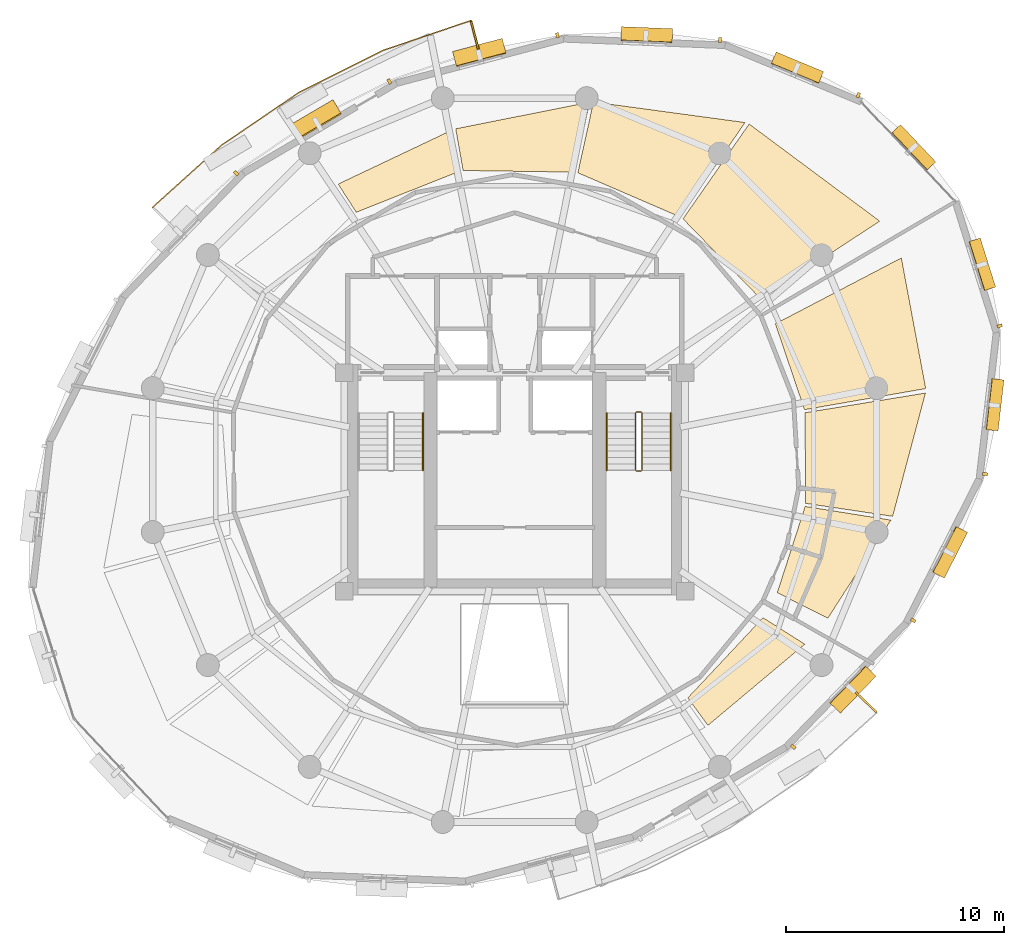
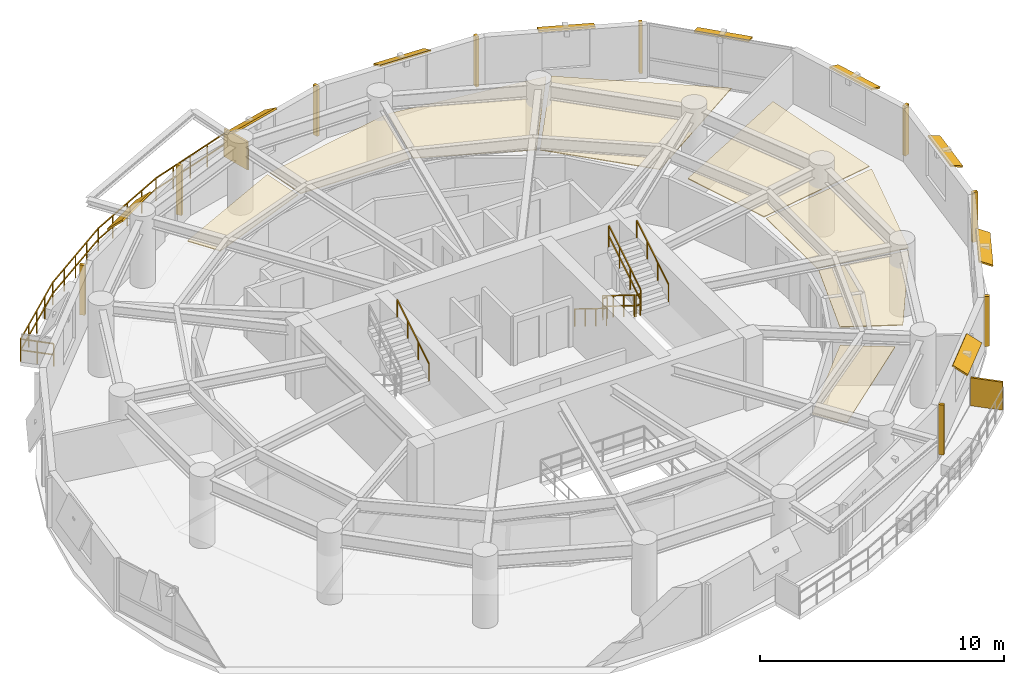
# One storey, part 14 of 14: 20 shading devices, 8 coverings, 8 railings.
"""IFC4 building model written with IfcOpenShell, lengths in metres."""

from ifc_helpers import new_model, si_unit, direction, frame, origin, origin_2d, place, context, subcontext, project, spatial, polyline, rectangle, outline, extrude, material, layer, layer_set, type_object, element, save


model = new_model("IFC4")

# Units and contexts
model_context = context("Model", 3, precision=1e-05, world=origin(), true_north=direction((0.0, 1.0)))
body_context = subcontext(model_context, "Body", "Model", "MODEL_VIEW")
ifc_project = project(units=[si_unit("LENGTHUNIT", "METRE"), si_unit("AREAUNIT", "SQUARE_METRE"), si_unit("VOLUMEUNIT", "CUBIC_METRE"), si_unit("PLANEANGLEUNIT", "RADIAN"), si_unit("MASSUNIT", "GRAM", prefix="KILO"), si_unit("THERMODYNAMICTEMPERATUREUNIT", "KELVIN"), si_unit("POWERUNIT", "WATT")], contexts=[model_context])

# Site, building, storey
site_placement = place(None, origin())
site = spatial("IfcSite", under=ifc_project, at=site_placement, CompositionType="ELEMENT")
building_placement = place(site_placement, origin())
building = spatial("IfcBuilding", under=site, at=building_placement, Name="Ocrelia Relay Tower", CompositionType="ELEMENT")
storey_placement = place(building_placement, frame((0.0, 0.0, 162.800048828125)))
storey = spatial("IfcBuildingStorey", under=building, at=storey_placement, Name="L38", CompositionType="ELEMENT", Elevation=162.800048828125)

# Coverings
ifc_material_1 = material(Name="Mineral-fiber acoustic ceiling tile", Category="gypsum")
ifc_layer_1 = layer(ifc_material_1, 0.0400390625, Name="Mineral-fiber acoustic ceiling tile")
ifc_layer_set_1 = layer_set([ifc_layer_1], Name="Mineral-fiber acoustic ceiling tile")
covering_type_1 = type_object("IfcCoveringType", Name="COV-CEIL-ACOUSTIC", PredefinedType="CEILING", material=ifc_layer_set_1)
covering_1_placement = place(storey_placement, frame((0.0, 0.0, 2.3798828125)))
element("IfcCovering", 1, at=covering_1_placement, inside=storey, type_object=covering_type_1, Name="L38 Spectrum Operations Office Suspended Ceiling 1", PredefinedType="CEILING", context=body_context, shape_type="SweptSolid", body=[
    extrude(outline(polyline([(46.023193359375, 19.9267578125), (48.341064453125, 18.755859375), (51.227783203125, 23.250732421875), (47.3017578125, 23.877197265625), (46.023193359375, 19.9267578125)])), origin(), (0.0, 0.0, 1.0), 0.0400390625),
])
covering_2_placement = place(storey_placement, frame((0.0, 0.0, 2.3798828125)))
element("IfcCovering", 2, at=covering_2_placement, inside=storey, type_object=covering_type_1, Name="L38 Spectrum Operations Office Suspended Ceiling 2", PredefinedType="CEILING", context=body_context, shape_type="SweptSolid", body=[
    extrude(outline(polyline([(47.3232421875, 24.016845703125), (51.308349609375, 23.423583984375), (52.81103515625, 29.069091796875), (47.294189453125, 28.169189453125), (47.3232421875, 24.016845703125)])), origin(), (0.0, 0.0, 1.0), 0.0400390625),
])
covering_3_placement = place(storey_placement, frame((0.0, 0.0, 2.3798828125)))
element("IfcCovering", 3, at=covering_3_placement, inside=storey, type_object=covering_type_1, Name="L38 Spectrum Operations Office Suspended Ceiling 3", PredefinedType="CEILING", context=body_context, shape_type="SweptSolid", body=[
    extrude(outline(polyline([(47.270751953125, 28.30810546875), (52.82421875, 29.274169921875), (51.70751953125, 35.25732421875), (45.937255859375, 32.240478515625), (47.270751953125, 28.30810546875)])), origin(), (0.0, 0.0, 1.0), 0.0400390625),
])
covering_4_placement = place(storey_placement, frame((0.0, 0.0, 2.3798828125)))
element("IfcCovering", 4, at=covering_4_placement, inside=storey, type_object=covering_type_1, Name="L38 Cloud Engineering Workspace Suspended Ceiling 1", PredefinedType="CEILING", context=body_context, shape_type="SweptSolid", body=[
    extrude(outline(polyline([(45.271240234375, 33.375732421875), (50.7197265625, 36.941162109375), (44.737060546875, 41.39111328125), (41.706787109375, 37.04736328125), (45.271240234375, 33.375732421875)])), origin(), (0.0, 0.0, 1.0), 0.0400390625),
])
covering_5_placement = place(storey_placement, frame((0.0, 0.0, 2.3798828125)))
element("IfcCovering", 5, at=covering_5_placement, inside=storey, type_object=covering_type_1, Name="L38 Cloud Engineering Workspace Suspended Ceiling 2", PredefinedType="CEILING", context=body_context, shape_type="SweptSolid", body=[
    extrude(outline(polyline([(41.5908203125, 37.12744140625), (44.54638671875, 41.460205078125), (37.605712890625, 42.3994140625), (36.892578125, 39.15576171875), (41.5908203125, 37.12744140625)])), origin(), (0.0, 0.0, 1.0), 0.0400390625),
])
covering_6_placement = place(storey_placement, frame((0.0, 0.0, 2.3798828125)))
element("IfcCovering", 6, at=covering_6_placement, inside=storey, type_object=covering_type_1, Name="L38 Cloud Engineering Workspace Suspended Ceiling 3", PredefinedType="CEILING", context=body_context, shape_type="SweptSolid", body=[
    extrude(outline(polyline([(36.754638671875, 39.185302734375), (37.424072265625, 42.389404296875), (31.29736328125, 41.17236328125), (31.6376953125, 39.26123046875), (36.754638671875, 39.185302734375)])), origin(), (0.0, 0.0, 1.0), 0.0400390625),
])
covering_7_placement = place(storey_placement, frame((0.0, 0.0, 2.3798828125)))
element("IfcCovering", 7, at=covering_7_placement, inside=storey, type_object=covering_type_1, Name="L38 Cloud Engineering Workspace Suspended Ceiling 4", PredefinedType="CEILING", context=body_context, shape_type="SweptSolid", body=[
    extrude(outline(polyline([(31.4990234375, 39.23583984375), (31.14306640625, 41.119873046875), (25.915771484375, 38.640869140625), (26.742919921875, 37.347900390625), (31.4990234375, 39.23583984375)])), origin(), (0.0, 0.0, 1.0), 0.0400390625),
])
ifc_material_2 = material(Name="Cleanroom metal-pan acoustic ceiling", Category="aluminium")
ifc_layer_2 = layer(ifc_material_2, 0.0400390625, Name="Cleanroom metal-pan acoustic ceiling")
ifc_layer_set_2 = layer_set([ifc_layer_2], Name="Cleanroom metal-pan acoustic ceiling")
covering_type_2 = type_object("IfcCoveringType", Name="COV-CEIL-CLEAN", PredefinedType="CEILING", material=ifc_layer_set_2)
covering_8_placement = place(storey_placement, frame((0.0, 0.0, 2.3798828125)))
element("IfcCovering", 8, at=covering_8_placement, inside=storey, type_object=covering_type_2, Name="L38 Protocol Simulation Studio Suspended Ceiling 7", PredefinedType="CEILING", context=body_context, shape_type="SweptSolid", body=[
    extrude(outline(polyline([(41.92822265625, 15.1103515625), (42.84765625, 13.84765625), (47.28662109375, 17.568115234375), (45.373046875, 18.782470703125), (41.92822265625, 15.1103515625)])), origin(), (0.0, 0.0, 1.0), 0.0400390625),
])

# Railings
ifc_material_3 = material(Name="Steel S355 balustrade", Category="steel")
railing_type_1 = type_object("IfcRailingType", Name="RL-EXT-GUARD-1150", PredefinedType="GUARDRAIL", material=ifc_material_3)
railing_1_placement = place(storey_placement, frame((18.409423828125, 36.6064453125, 0.0)))
element("IfcRailing", 9, at=railing_1_placement, inside=storey, type_object=railing_type_1, Name="L38 Loggia Balcony Guard Rail B1", PredefinedType="GUARDRAIL", context=body_context, shape_type="SweptSolid", body=[
    extrude(rectangle(XDim=0.048095703125, YDim=0.048095703125, at=origin_2d()), frame((0.0, 0.0, 1.1259765625), z_axis=(-0.719869312116, 0.694109626409, 0.0), x_axis=(-0.694109626409, -0.719869312116, 0.0)), (0.0, 0.0, 1.0), 1.393310546875),
    extrude(rectangle(XDim=0.048095703125, YDim=0.048095703125, at=origin_2d()), frame((0.0, 0.0, 0.574951171875), z_axis=(-0.719869312116, 0.694109626409, 0.0), x_axis=(-0.694109626409, -0.719869312116, 0.0)), (0.0, 0.0, 1.0), 1.393310546875),
    extrude(rectangle(XDim=0.048095703125, YDim=0.048095703125, at=origin_2d()), frame((-1.0029296875, 0.967041015625, 1.1259765625), z_axis=(0.742997237485, 0.669294483087, 0.0), x_axis=(-0.669294483087, 0.742997237485, 0.0)), (0.0, 0.0, 1.0), 2.126708984375),
    extrude(rectangle(XDim=0.048095703125, YDim=0.048095703125, at=origin_2d()), frame((-1.0029296875, 0.967041015625, 0.574951171875), z_axis=(0.742997237485, 0.669294483087, 0.0), x_axis=(-0.669294483087, 0.742997237485, 0.0)), (0.0, 0.0, 1.0), 2.126708984375),
    extrude(rectangle(XDim=0.048095703125, YDim=0.048095703125, at=origin_2d()), frame((0.5771484375, 2.390380859375, 1.1259765625), z_axis=(0.742997237485, 0.669294483087, 0.0), x_axis=(-0.669294483087, 0.742997237485, 0.0)), (0.0, 0.0, 1.0), 2.126708984375),
    extrude(rectangle(XDim=0.048095703125, YDim=0.048095703125, at=origin_2d()), frame((0.5771484375, 2.390380859375, 0.574951171875), z_axis=(0.742997237485, 0.669294483087, 0.0), x_axis=(-0.669294483087, 0.742997237485, 0.0)), (0.0, 0.0, 1.0), 2.126708984375),
    extrude(rectangle(XDim=0.048095703125, YDim=0.048095703125, at=origin_2d()), frame((2.1572265625, 3.813720703125, 1.1259765625), z_axis=(0.826682428882, 0.562668785146, 0.0), x_axis=(-0.562668785146, 0.826682428882, 0.0)), (0.0, 0.0, 1.0), 4.299072265625),
    extrude(rectangle(XDim=0.048095703125, YDim=0.048095703125, at=origin_2d()), frame((2.1572265625, 3.813720703125, 0.574951171875), z_axis=(0.826682428882, 0.562668785146, 0.0), x_axis=(-0.562668785146, 0.826682428882, 0.0)), (0.0, 0.0, 1.0), 4.299072265625),
    extrude(rectangle(XDim=0.048095703125, YDim=0.048095703125, at=origin_2d()), frame((5.711181640625, 6.232666015625, 1.1259765625), z_axis=(0.894449906034, 0.447168162547, 0.0), x_axis=(-0.447168162547, 0.894449906034, 0.0)), (0.0, 0.0, 1.0), 4.299072265625),
    extrude(rectangle(XDim=0.048095703125, YDim=0.048095703125, at=origin_2d()), frame((5.711181640625, 6.232666015625, 0.574951171875), z_axis=(0.894449906034, 0.447168162547, 0.0), x_axis=(-0.447168162547, 0.894449906034, 0.0)), (0.0, 0.0, 1.0), 4.299072265625),
    extrude(rectangle(XDim=0.048095703125, YDim=0.048095703125, at=origin_2d()), frame((9.556396484375, 8.155029296875, 1.1259765625), z_axis=(0.946737052501, 0.322007691556, 0.0), x_axis=(-0.322007691556, 0.946737052501, 0.0)), (0.0, 0.0, 1.0), 2.126708984375),
    extrude(rectangle(XDim=0.048095703125, YDim=0.048095703125, at=origin_2d()), frame((9.556396484375, 8.155029296875, 0.574951171875), z_axis=(0.946737052501, 0.322007691556, 0.0), x_axis=(-0.322007691556, 0.946737052501, 0.0)), (0.0, 0.0, 1.0), 2.126708984375),
    extrude(rectangle(XDim=0.048095703125, YDim=0.048095703125, at=origin_2d()), frame((11.56982421875, 8.83984375, 1.1259765625), z_axis=(0.946737052501, 0.322007691556, 0.0), x_axis=(-0.322007691556, 0.946737052501, 0.0)), (0.0, 0.0, 1.0), 2.126708984375),
    extrude(rectangle(XDim=0.048095703125, YDim=0.048095703125, at=origin_2d()), frame((11.56982421875, 8.83984375, 0.574951171875), z_axis=(0.946737052501, 0.322007691556, 0.0), x_axis=(-0.322007691556, 0.946737052501, 0.0)), (0.0, 0.0, 1.0), 2.126708984375),
    extrude(rectangle(XDim=0.048095703125, YDim=0.048095703125, at=origin_2d()), frame((13.583251953125, 9.524658203125, 1.1259765625), z_axis=(0.254596796515, -0.967047295226, 0.0), x_axis=(0.967047295226, 0.254596796515, 0.0)), (0.0, 0.0, 1.0), 1.393310546875),
    extrude(rectangle(XDim=0.048095703125, YDim=0.048095703125, at=origin_2d()), frame((13.583251953125, 9.524658203125, 0.574951171875), z_axis=(0.254596796515, -0.967047295226, 0.0), x_axis=(0.967047295226, 0.254596796515, 0.0)), (0.0, 0.0, 1.0), 1.393310546875),
    extrude(rectangle(XDim=0.0419921875, YDim=0.0419921875, at=origin_2d()), origin(), (0.0, 0.0, 1.0), 1.101806640625),
    extrude(rectangle(XDim=0.0419921875, YDim=0.0419921875, at=origin_2d()), frame((-0.50146484375, 0.4833984375, 0.0)), (0.0, 0.0, 1.0), 1.101806640625),
    extrude(rectangle(XDim=0.0419921875, YDim=0.0419921875, at=origin_2d()), frame((-1.0029296875, 0.967041015625, 0.0)), (0.0, 0.0, 1.0), 1.101806640625),
    extrude(rectangle(XDim=0.0419921875, YDim=0.0419921875, at=origin_2d()), frame((-0.212890625, 1.6787109375, 0.0)), (0.0, 0.0, 1.0), 1.101806640625),
    extrude(rectangle(XDim=0.0419921875, YDim=0.0419921875, at=origin_2d()), frame((0.5771484375, 2.390380859375, 0.0)), (0.0, 0.0, 1.0), 1.101806640625),
    extrude(rectangle(XDim=0.0419921875, YDim=0.0419921875, at=origin_2d()), frame((1.3671875, 3.10205078125, 0.0)), (0.0, 0.0, 1.0), 1.101806640625),
    extrude(rectangle(XDim=0.0419921875, YDim=0.0419921875, at=origin_2d()), frame((2.1572265625, 3.813720703125, 0.0)), (0.0, 0.0, 1.0), 1.101806640625),
    extrude(rectangle(XDim=0.0419921875, YDim=0.0419921875, at=origin_2d()), frame((3.045654296875, 4.41845703125, 0.0)), (0.0, 0.0, 1.0), 1.101806640625),
    extrude(rectangle(XDim=0.0419921875, YDim=0.0419921875, at=origin_2d()), frame((3.93408203125, 5.023193359375, 0.0)), (0.0, 0.0, 1.0), 1.101806640625),
    extrude(rectangle(XDim=0.0419921875, YDim=0.0419921875, at=origin_2d()), frame((4.82275390625, 5.6279296875, 0.0)), (0.0, 0.0, 1.0), 1.101806640625),
    extrude(rectangle(XDim=0.0419921875, YDim=0.0419921875, at=origin_2d()), frame((5.711181640625, 6.232666015625, 0.0)), (0.0, 0.0, 1.0), 1.101806640625),
    extrude(rectangle(XDim=0.0419921875, YDim=0.0419921875, at=origin_2d()), frame((6.67236328125, 6.71337890625, 0.0)), (0.0, 0.0, 1.0), 1.101806640625),
    extrude(rectangle(XDim=0.0419921875, YDim=0.0419921875, at=origin_2d()), frame((7.6337890625, 7.19384765625, 0.0)), (0.0, 0.0, 1.0), 1.101806640625),
    extrude(rectangle(XDim=0.0419921875, YDim=0.0419921875, at=origin_2d()), frame((8.59521484375, 7.67431640625, 0.0)), (0.0, 0.0, 1.0), 1.101806640625),
    extrude(rectangle(XDim=0.0419921875, YDim=0.0419921875, at=origin_2d()), frame((9.556396484375, 8.155029296875, 0.0)), (0.0, 0.0, 1.0), 1.101806640625),
    extrude(rectangle(XDim=0.0419921875, YDim=0.0419921875, at=origin_2d()), frame((10.56298828125, 8.49755859375, 0.0)), (0.0, 0.0, 1.0), 1.101806640625),
    extrude(rectangle(XDim=0.0419921875, YDim=0.0419921875, at=origin_2d()), frame((11.56982421875, 8.83984375, 0.0)), (0.0, 0.0, 1.0), 1.101806640625),
    extrude(rectangle(XDim=0.0419921875, YDim=0.0419921875, at=origin_2d()), frame((12.57666015625, 9.18212890625, 0.0)), (0.0, 0.0, 1.0), 1.101806640625),
    extrude(rectangle(XDim=0.0419921875, YDim=0.0419921875, at=origin_2d()), frame((13.583251953125, 9.524658203125, 0.0)), (0.0, 0.0, 1.0), 1.101806640625),
    extrude(rectangle(XDim=0.0419921875, YDim=0.0419921875, at=origin_2d()), frame((13.7607421875, 8.85107421875, 0.0)), (0.0, 0.0, 1.0), 1.101806640625),
    extrude(rectangle(XDim=0.0419921875, YDim=0.0419921875, at=origin_2d()), frame((13.93798828125, 8.17724609375, 0.0)), (0.0, 0.0, 1.0), 1.101806640625),
])
railing_type_2 = type_object("IfcRailingType", Name="RL-STAIR-GUARD", PredefinedType="GUARDRAIL", material=ifc_material_3)
railing_2_placement = place(storey_placement, frame((39.530029296875, 28.14990234375, 0.179931640625)))
element("IfcRailing", 10, at=railing_2_placement, inside=storey, type_object=railing_type_2, Name="L38 ST2 stair guard 1", PredefinedType="GUARDRAIL", context=body_context, shape_type="SweptSolid", body=[
    extrude(rectangle(XDim=0.048095703125, YDim=0.048095703125, at=origin_2d()), frame((0.0, 0.0, 1.076171875), z_axis=(0.0, -0.849610693518, 0.52741034258), x_axis=(1.0, 0.0, 0.0)), (0.0, 0.0, 1.0), 3.07177734375),
    extrude(rectangle(XDim=0.048095703125, YDim=0.048095703125, at=origin_2d()), frame((0.0, 0.0, 0.550048828125), z_axis=(0.0, -0.849610693518, 0.52741034258), x_axis=(1.0, 0.0, 0.0)), (0.0, 0.0, 1.0), 3.07177734375),
    extrude(rectangle(XDim=0.0419921875, YDim=0.0419921875, at=origin_2d()), origin(), (0.0, 0.0, 1.0), 1.052001953125),
    extrude(rectangle(XDim=0.0419921875, YDim=0.0419921875, at=origin_2d()), frame((0.0, -0.869873046875, 0.5400390625)), (0.0, 0.0, 1.0), 1.052001953125),
    extrude(rectangle(XDim=0.0419921875, YDim=0.0419921875, at=origin_2d()), frame((0.0, -1.739990234375, 1.080078125)), (0.0, 0.0, 1.0), 1.052001953125),
    extrude(rectangle(XDim=0.0419921875, YDim=0.0419921875, at=origin_2d()), frame((0.0, -2.60986328125, 1.6201171875)), (0.0, 0.0, 1.0), 1.052001953125),
])
railing_3_placement = place(storey_placement, frame((39.580078125, 25.489990234375, 1.800048828125)))
element("IfcRailing", 11, at=railing_3_placement, inside=storey, type_object=railing_type_2, Name="L38 ST2 stair guard 2", PredefinedType="GUARDRAIL", context=body_context, shape_type="SweptSolid", body=[
    extrude(rectangle(XDim=0.048095703125, YDim=0.048095703125, at=origin_2d()), frame((0.0, 0.0, 1.076171875), z_axis=(1.0, 0.0, 0.0), x_axis=(0.0, 1.0, 0.0)), (0.0, 0.0, 1.0), 0.199951171875),
    extrude(rectangle(XDim=0.048095703125, YDim=0.048095703125, at=origin_2d()), frame((0.0, 0.0, 0.550048828125), z_axis=(1.0, 0.0, 0.0), x_axis=(0.0, 1.0, 0.0)), (0.0, 0.0, 1.0), 0.199951171875),
    extrude(rectangle(XDim=0.0419921875, YDim=0.0419921875, at=origin_2d()), origin(), (0.0, 0.0, 1.0), 1.052001953125),
    extrude(rectangle(XDim=0.0419921875, YDim=0.0419921875, at=origin_2d()), frame((0.199951171875, 0.0, 0.0)), (0.0, 0.0, 1.0), 1.052001953125),
])
railing_4_placement = place(storey_placement, frame((39.830078125, 25.5400390625, 1.97998046875)))
element("IfcRailing", 12, at=railing_4_placement, inside=storey, type_object=railing_type_2, Name="L38 ST2 stair guard 3", PredefinedType="GUARDRAIL", context=body_context, shape_type="SweptSolid", body=[
    extrude(rectangle(XDim=0.048095703125, YDim=0.048095703125, at=origin_2d()), frame((0.0, 0.0, 1.076171875), z_axis=(0.0, 0.849646306263, 0.527352969322), x_axis=(-1.0, 0.0, 0.0)), (0.0, 0.0, 1.0), 3.07177734375),
    extrude(rectangle(XDim=0.048095703125, YDim=0.048095703125, at=origin_2d()), frame((0.0, 0.0, 0.550048828125), z_axis=(0.0, 0.849646306263, 0.527352969322), x_axis=(-1.0, 0.0, 0.0)), (0.0, 0.0, 1.0), 3.07177734375),
    extrude(rectangle(XDim=0.0419921875, YDim=0.0419921875, at=origin_2d()), origin(), (0.0, 0.0, 1.0), 1.052001953125),
    extrude(rectangle(XDim=0.0419921875, YDim=0.0419921875, at=origin_2d()), frame((0.0, 0.869873046875, 0.5400390625)), (0.0, 0.0, 1.0), 1.052001953125),
    extrude(rectangle(XDim=0.0419921875, YDim=0.0419921875, at=origin_2d()), frame((0.0, 1.739990234375, 1.079833984375)), (0.0, 0.0, 1.0), 1.052001953125),
    extrude(rectangle(XDim=0.0419921875, YDim=0.0419921875, at=origin_2d()), frame((0.0, 2.60986328125, 1.619873046875)), (0.0, 0.0, 1.0), 1.052001953125),
])
railing_5_placement = place(storey_placement, frame((39.580078125, 28.199951171875, 0.0)))
element("IfcRailing", 13, at=railing_5_placement, inside=storey, type_object=railing_type_2, Name="L38 ST2 stair guard 4", PredefinedType="GUARDRAIL", context=body_context, shape_type="SweptSolid", body=[
    extrude(rectangle(XDim=0.048095703125, YDim=0.048095703125, at=origin_2d()), frame((0.0, 0.0, 1.076171875), z_axis=(1.0, 0.0, 0.0), x_axis=(0.0, 1.0, 0.0)), (0.0, 0.0, 1.0), 0.199951171875),
    extrude(rectangle(XDim=0.048095703125, YDim=0.048095703125, at=origin_2d()), frame((0.0, 0.0, 0.550048828125), z_axis=(1.0, 0.0, 0.0), x_axis=(0.0, 1.0, 0.0)), (0.0, 0.0, 1.0), 0.199951171875),
    extrude(rectangle(XDim=0.0419921875, YDim=0.0419921875, at=origin_2d()), origin(), (0.0, 0.0, 1.0), 1.052001953125),
    extrude(rectangle(XDim=0.0419921875, YDim=0.0419921875, at=origin_2d()), frame((0.199951171875, 0.0, 0.0)), (0.0, 0.0, 1.0), 1.052001953125),
])
ifc_material_4 = material(Name="Steel S355 tubular handrail", Category="steel")
railing_type_3 = type_object("IfcRailingType", Name="RL-STAIR-HAND", PredefinedType="HANDRAIL", material=ifc_material_4)
railing_6_placement = place(storey_placement, frame((29.800048828125, 25.5400390625, 1.97998046875)))
element("IfcRailing", 14, at=railing_6_placement, inside=storey, type_object=railing_type_3, Name="L38 ST1 stair handrail 2", PredefinedType="HANDRAIL", context=body_context, shape_type="SweptSolid", body=[
    extrude(rectangle(XDim=0.048095703125, YDim=0.048095703125, at=origin_2d()), frame((0.0, 0.0, 0.8759765625), z_axis=(0.0, 0.849646306263, 0.527352969322), x_axis=(-1.0, 0.0, 0.0)), (0.0, 0.0, 1.0), 3.07177734375),
    extrude(rectangle(XDim=0.0419921875, YDim=0.0419921875, at=origin_2d()), origin(), (0.0, 0.0, 1.0), 0.851806640625),
    extrude(rectangle(XDim=0.0419921875, YDim=0.0419921875, at=origin_2d()), frame((0.0, 0.869873046875, 0.5400390625)), (0.0, 0.0, 1.0), 0.851806640625),
    extrude(rectangle(XDim=0.0419921875, YDim=0.0419921875, at=origin_2d()), frame((0.0, 1.739990234375, 1.079833984375)), (0.0, 0.0, 1.0), 0.851806640625),
    extrude(rectangle(XDim=0.0419921875, YDim=0.0419921875, at=origin_2d()), frame((0.0, 2.60986328125, 1.619873046875)), (0.0, 0.0, 1.0), 0.851806640625),
])
railing_7_placement = place(storey_placement, frame((38.2099609375, 28.14990234375, 0.179931640625)))
element("IfcRailing", 15, at=railing_7_placement, inside=storey, type_object=railing_type_3, Name="L38 ST2 stair handrail 1", PredefinedType="HANDRAIL", context=body_context, shape_type="SweptSolid", body=[
    extrude(rectangle(XDim=0.048095703125, YDim=0.048095703125, at=origin_2d()), frame((0.0, 0.0, 0.8759765625), z_axis=(0.0, -0.849610693518, 0.52741034258), x_axis=(1.0, 0.0, 0.0)), (0.0, 0.0, 1.0), 3.07177734375),
    extrude(rectangle(XDim=0.0419921875, YDim=0.0419921875, at=origin_2d()), origin(), (0.0, 0.0, 1.0), 0.851806640625),
    extrude(rectangle(XDim=0.0419921875, YDim=0.0419921875, at=origin_2d()), frame((0.0, -0.869873046875, 0.5400390625)), (0.0, 0.0, 1.0), 0.851806640625),
    extrude(rectangle(XDim=0.0419921875, YDim=0.0419921875, at=origin_2d()), frame((0.0, -1.739990234375, 1.080078125)), (0.0, 0.0, 1.0), 0.851806640625),
    extrude(rectangle(XDim=0.0419921875, YDim=0.0419921875, at=origin_2d()), frame((0.0, -2.60986328125, 1.6201171875)), (0.0, 0.0, 1.0), 0.851806640625),
])
railing_8_placement = place(storey_placement, frame((41.14990234375, 25.5400390625, 1.97998046875)))
element("IfcRailing", 16, at=railing_8_placement, inside=storey, type_object=railing_type_3, Name="L38 ST2 stair handrail 2", PredefinedType="HANDRAIL", context=body_context, shape_type="SweptSolid", body=[
    extrude(rectangle(XDim=0.048095703125, YDim=0.048095703125, at=origin_2d()), frame((0.0, 0.0, 0.8759765625), z_axis=(0.0, 0.849646306263, 0.527352969322), x_axis=(-1.0, 0.0, 0.0)), (0.0, 0.0, 1.0), 3.07177734375),
    extrude(rectangle(XDim=0.0419921875, YDim=0.0419921875, at=origin_2d()), origin(), (0.0, 0.0, 1.0), 0.851806640625),
    extrude(rectangle(XDim=0.0419921875, YDim=0.0419921875, at=origin_2d()), frame((0.0, 0.869873046875, 0.5400390625)), (0.0, 0.0, 1.0), 0.851806640625),
    extrude(rectangle(XDim=0.0419921875, YDim=0.0419921875, at=origin_2d()), frame((0.0, 1.739990234375, 1.079833984375)), (0.0, 0.0, 1.0), 0.851806640625),
    extrude(rectangle(XDim=0.0419921875, YDim=0.0419921875, at=origin_2d()), frame((0.0, 2.60986328125, 1.619873046875)), (0.0, 0.0, 1.0), 0.851806640625),
])

# Shading devices
ifc_material_5 = material(Name="Perforated oxide terracotta solar screen", Category="masonry")
ifc_layer_3 = layer(ifc_material_5, 0.090087890625, Name="Perforated oxide terracotta solar screen")
ifc_layer_set_3 = layer_set([ifc_layer_3], Name="Perforated oxide terracotta solar screen")
shading_device_type_1 = type_object("IfcShadingDeviceType", Name="SH-BALC-SCREEN", PredefinedType="USERDEFINED", material=ifc_layer_set_3)
for number, where, z_axis, x_axis, name in (
    (17, (32.169921875, 45.45751953125, 0.0), (0.0, 0.0, 1.0), (-0.254623999407, 0.967040133048, 0.0), "L38 Balcony Perforated Terracotta Screen B1-1"),
    (18, (50.092041015625, 14.909912109375, 0.0), (0.0, 0.0, 1.0), (0.719871188836, -0.694107680035, 0.0), "L38 Balcony Perforated Terracotta Screen B2-2"),
):
    element("IfcShadingDevice", number, at=place(storey_placement, frame(where, z_axis=z_axis, x_axis=x_axis)), inside=storey, type_object=shading_device_type_1, Name=name, ObjectType="SCREEN", PredefinedType="USERDEFINED", context=body_context, shape_type="SweptSolid", body=[
        extrude(rectangle(XDim=1.340087890625, YDim=0.090087890625, at=origin_2d()), origin(), (0.0, 0.0, 1.0), 1.39990234375),
    ])
ifc_material_6 = material(Name="Extruded oxide terracotta vertical baguette", Category="masonry")
shading_device_type_2 = type_object("IfcShadingDeviceType", Name="SH-TERR-BAGUETTE", PredefinedType="USERDEFINED", material=ifc_material_6)
for number, where, z_axis, x_axis, name in (
    (19, (49.734130859375, 42.7119140625, 0.079833984375), (0.0, 0.0, 1.0), (-0.923498332279, 0.383602437788, 0.0), "L38 Oxide Terracotta Vertical Baguette 02"),
    (20, (43.407958984375, 45.234375, 0.079833984375), (0.0, 0.0, 1.0), (-0.999197543232, 0.04005333442, 0.0), "L38 Oxide Terracotta Vertical Baguette 03"),
    (21, (35.9560546875, 45.451904296875, 0.079833984375), (0.0, 0.0, 1.0), (-0.966634518622, -0.256159535073, 0.0), "L38 Oxide Terracotta Vertical Baguette 04"),
    (22, (28.260986328125, 43.33740234375, 0.079833984375), (0.0, 0.0, 1.0), (-0.862513161908, -0.506034628791, 0.0), "L38 Oxide Terracotta Vertical Baguette 05"),
    (23, (21.24267578125, 39.135498046875, 0.079833984375), (0.0, 0.0, 1.0), (-0.695187718284, -0.718828238418, 0.0), "L38 Oxide Terracotta Vertical Baguette 06"),
    (24, (46.75732421875, 12.864501953125, 0.079833984375), (0.0, 0.0, 1.0), (0.695187718284, 0.718828238418, 0.0), "L38 Oxide Terracotta Vertical Baguette 15"),
    (25, (52.24951171875, 18.659912109375, 0.079833984375), (0.0, 0.0, 1.0), (0.452499386618, 0.891764713986, 0.0), "L38 Oxide Terracotta Vertical Baguette 16"),
    (26, (55.53955078125, 25.358642578125, 0.079833984375), (0.0, 0.0, 1.0), (0.115700545281, 0.993284140527, 0.0), "L38 Oxide Terracotta Vertical Baguette 17"),
    (27, (56.211181640625, 32.144287109375, 0.079833984375), (0.0, 0.0, 1.0), (-0.299375021731, 0.954135523059, 0.0), "L38 Oxide Terracotta Vertical Baguette 18"),
):
    element("IfcShadingDevice", number, at=place(storey_placement, frame(where, z_axis=z_axis, x_axis=x_axis)), inside=storey, type_object=shading_device_type_2, Name=name, ObjectType="BAGUETTE", PredefinedType="USERDEFINED", context=body_context, shape_type="SweptSolid", body=[
        extrude(rectangle(XDim=0.139892578125, YDim=0.239990234375, at=origin_2d()), origin(), (0.0, 0.0, 1.0), 2.5),
    ])
ifc_material_7 = material(Name="Extruded oxide terracotta fin", Category="masonry")
ifc_layer_4 = layer(ifc_material_7, 0.080078125, Name="Extruded oxide terracotta fin")
ifc_layer_set_4 = layer_set([ifc_layer_4], Name="Extruded oxide terracotta fin")
shading_device_type_3 = type_object("IfcShadingDeviceType", Name="SH-VISOR-FIN-MED", PredefinedType="USERDEFINED", material=ifc_layer_set_4)
shading_device_1_placement = place(storey_placement, frame((32.3876953125, 44.640625, 2.466796875), z_axis=(-0.14238895106, 0.53731388576, 0.831275631055), x_axis=(-0.966634518622, -0.256159535073, 0.0)))
element("IfcShadingDevice", 28, at=shading_device_1_placement, inside=storey, type_object=shading_device_type_3, Name="L38 Canted Terracotta Sun-Visor Fin 04", ObjectType="FIN", PredefinedType="USERDEFINED", context=body_context, shape_type="SweptSolid", body=[
    extrude(rectangle(XDim=2.35009765625, YDim=0.81298828125, at=origin_2d()), origin(), (0.0, 0.0, 1.0), 0.080078125),
])
shading_device_2_placement = place(storey_placement, frame((24.872802734375, 41.556884765625, 2.471435546875), z_axis=(-0.353169394517, 0.601961276606, 0.716180145105), x_axis=(-0.862513161908, -0.506034628791, 0.0)))
element("IfcShadingDevice", 29, at=shading_device_2_placement, inside=storey, type_object=shading_device_type_3, Name="L38 Canted Terracotta Sun-Visor Fin 05", ObjectType="FIN", PredefinedType="USERDEFINED", context=body_context, shape_type="SweptSolid", body=[
    extrude(rectangle(XDim=2.35009765625, YDim=0.988037109375, at=origin_2d()), origin(), (0.0, 0.0, 1.0), 0.080078125),
])
ifc_layer_5 = layer(ifc_material_7, 0.080078125, Name="Extruded oxide terracotta fin")
ifc_layer_set_5 = layer_set([ifc_layer_5], Name="Extruded oxide terracotta fin")
shading_device_type_4 = type_object("IfcShadingDeviceType", Name="SH-VISOR-FIN-SHAL", PredefinedType="USERDEFINED", material=ifc_layer_set_5)
shading_device_3_placement = place(storey_placement, frame((52.265380859375, 40.310791015625, 2.462158203125), z_axis=(0.23206257253, 0.219301494204, 0.947657014468), x_axis=(-0.686840832526, 0.726807863727, 0.0)))
element("IfcShadingDevice", 30, at=shading_device_3_placement, inside=storey, type_object=shading_device_type_4, Name="L38 Canted Terracotta Sun-Visor Fin 01", ObjectType="FIN", PredefinedType="USERDEFINED", context=body_context, shape_type="SweptSolid", body=[
    extrude(rectangle(XDim=2.35009765625, YDim=0.56005859375, at=origin_2d()), origin(), (0.0, 0.0, 1.0), 0.080078125),
])
shading_device_4_placement = place(storey_placement, frame((46.939453125, 43.954345703125, 2.462646484375), z_axis=(0.137845769916, 0.331854873924, 0.933204632634), x_axis=(-0.923498332279, 0.383602437788, 0.0)))
element("IfcShadingDevice", 31, at=shading_device_4_placement, inside=storey, type_object=shading_device_type_4, Name="L38 Canted Terracotta Sun-Visor Fin 02", ObjectType="FIN", PredefinedType="USERDEFINED", context=body_context, shape_type="SweptSolid", body=[
    extrude(rectangle(XDim=2.35009765625, YDim=0.60107421875, at=origin_2d()), origin(), (0.0, 0.0, 1.0), 0.080078125),
])
shading_device_5_placement = place(storey_placement, frame((40.0458984375, 45.460693359375, 2.4638671875), z_axis=(0.017470209957, 0.435823661656, 0.899862504889), x_axis=(-0.999197543232, 0.04005333442, 0.0)))
element("IfcShadingDevice", 32, at=shading_device_5_placement, inside=storey, type_object=shading_device_type_4, Name="L38 Canted Terracotta Sun-Visor Fin 03", ObjectType="FIN", PredefinedType="USERDEFINED", context=body_context, shape_type="SweptSolid", body=[
    extrude(rectangle(XDim=2.35009765625, YDim=0.680908203125, at=origin_2d()), origin(), (0.0, 0.0, 1.0), 0.080078125),
])
shading_device_6_placement = place(storey_placement, frame((49.471435546875, 15.507568359375, 2.46533203125), z_axis=(0.356040698604, -0.344331382172, 0.868717975058), x_axis=(0.695187718284, 0.718828238418, 0.0)))
element("IfcShadingDevice", 33, at=shading_device_6_placement, inside=storey, type_object=shading_device_type_4, Name="L38 Canted Terracotta Sun-Visor Fin 15", ObjectType="FIN", PredefinedType="USERDEFINED", context=body_context, shape_type="SweptSolid", body=[
    extrude(rectangle(XDim=2.35009765625, YDim=0.7451171875, at=origin_2d()), origin(), (0.0, 0.0, 1.0), 0.080078125),
])
shading_device_7_placement = place(storey_placement, frame((53.9248046875, 21.785888671875, 2.463134765625), z_axis=(0.345859666868, -0.175496164694, 0.92172782697), x_axis=(0.452499386618, 0.891764713986, 0.0)))
element("IfcShadingDevice", 34, at=shading_device_7_placement, inside=storey, type_object=shading_device_type_4, Name="L38 Canted Terracotta Sun-Visor Fin 16", ObjectType="FIN", PredefinedType="USERDEFINED", context=body_context, shape_type="SweptSolid", body=[
    extrude(rectangle(XDim=2.35009765625, YDim=0.6298828125, at=origin_2d()), origin(), (0.0, 0.0, 1.0), 0.080078125),
])
shading_device_8_placement = place(storey_placement, frame((55.97802734375, 28.534912109375, 2.462158203125), z_axis=(0.327149133245, -0.038107256082, 0.944204046619), x_axis=(0.115700545281, 0.993284140527, 0.0)))
element("IfcShadingDevice", 35, at=shading_device_8_placement, inside=storey, type_object=shading_device_type_4, Name="L38 Canted Terracotta Sun-Visor Fin 17", ObjectType="FIN", PredefinedType="USERDEFINED", context=body_context, shape_type="SweptSolid", body=[
    extrude(rectangle(XDim=2.35009765625, YDim=0.571044921875, at=origin_2d()), origin(), (0.0, 0.0, 1.0), 0.080078125),
])
shading_device_9_placement = place(storey_placement, frame((55.401123046875, 34.96142578125, 2.4619140625), z_axis=(0.295160828793, 0.092611350693, 0.950948591076), x_axis=(-0.299375021731, 0.954135523059, 0.0)))
element("IfcShadingDevice", 36, at=shading_device_9_placement, inside=storey, type_object=shading_device_type_4, Name="L38 Canted Terracotta Sun-Visor Fin 18", ObjectType="FIN", PredefinedType="USERDEFINED", context=body_context, shape_type="SweptSolid", body=[
    extrude(rectangle(XDim=2.35009765625, YDim=0.550048828125, at=origin_2d()), origin(), (0.0, 0.0, 1.0), 0.080078125),
])

save(model, "model.ifc")
